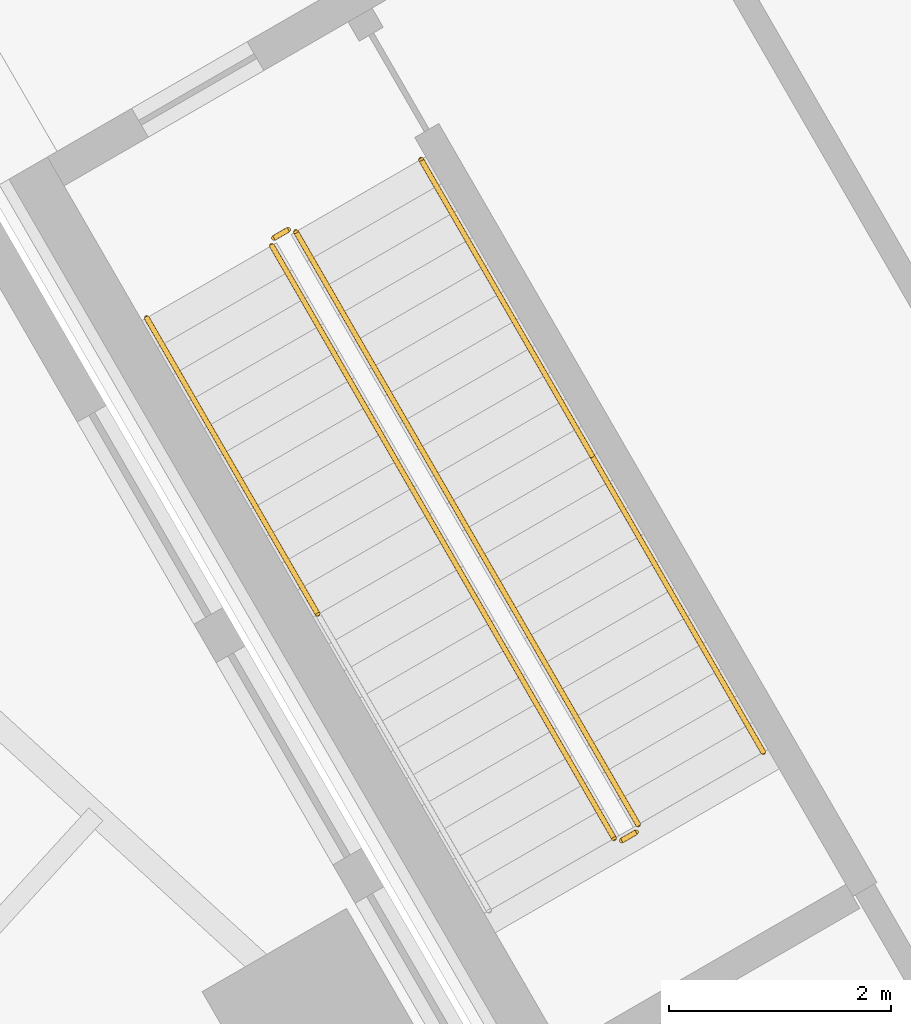
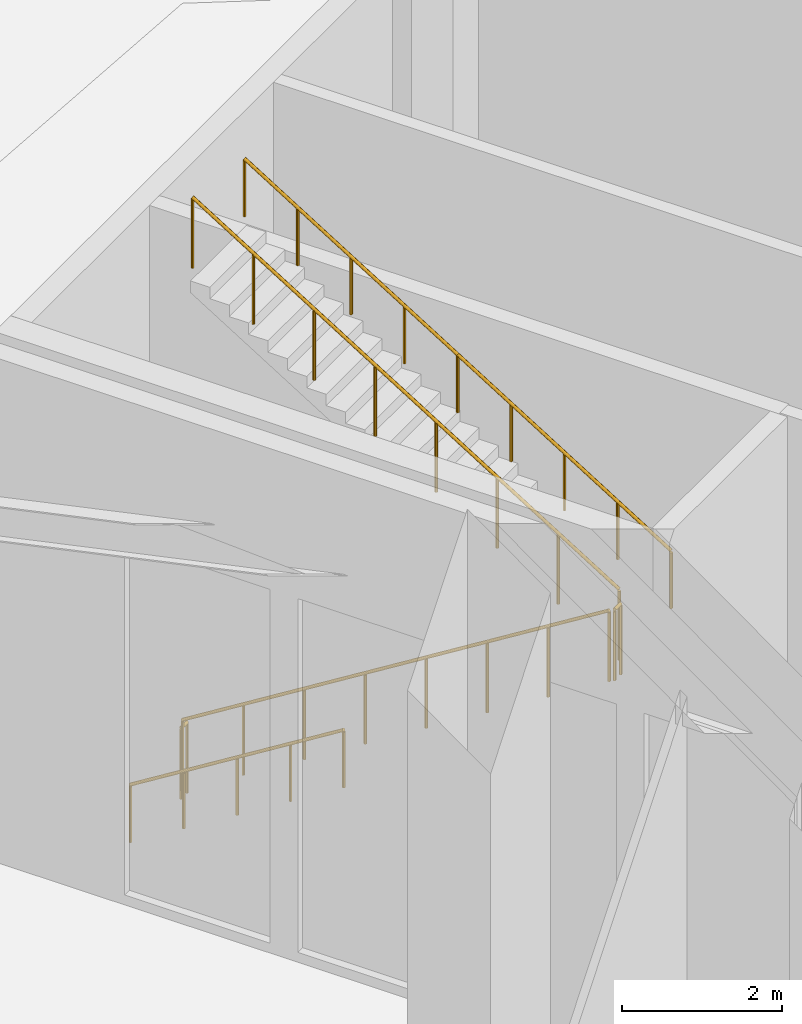
# One storey, part 30 of 34: 7 railings.
"""IFC4 building model written with IfcOpenShell, lengths in metres."""

import ifcopenshell
import ifcopenshell.guid

model = None  # the IFC model being written
_history = None  # IfcOwnerHistory: only IFC2X3 demands one
_inside = {}  # id of a spatial element -> (the spatial element, [elements in it])
_under = {}  # id of a project, library or spatial element -> (it, [spatial elements below it])
_declared = {}  # id of a project -> (the project, [libraries it declares])
_typed = {}  # id of a type object -> (the type object, [elements of that type])
_made_of = {}  # id of a material, layer set ... -> (it, [elements and type objects made of it])


def new_model(schema):
    """Start an empty IFC model of exactly this schema.

    Asked for "IFC4X3", IfcOpenShell would pick the latest addendum, in which some entities
    have other attributes; the version numbers below select the first issue.
    IFC2X3 requires an IfcOwnerHistory on every rooted entity: one is made here for all.
    """
    global model, _history
    if schema == "IFC4X3":
        model = ifcopenshell.file(schema_version=(4, 3, 0, 0))
    else:
        model = ifcopenshell.file(schema=schema)
    _inside.clear()
    _under.clear()
    _declared.clear()
    _typed.clear()
    _made_of.clear()
    _history = None
    if model.schema == "IFC2X3":
        org = make("IfcOrganization", Name="unknown")
        user = make(
            "IfcPersonAndOrganization",
            ThePerson=make("IfcPerson", FamilyName="unknown"),
            TheOrganization=org,
        )
        app = make(
            "IfcApplication",
            ApplicationDeveloper=org,
            Version="unknown",
            ApplicationFullName="unknown",
            ApplicationIdentifier="unknown",
        )
        _history = make(
            "IfcOwnerHistory",
            OwningUser=user,
            OwningApplication=app,
            ChangeAction="ADDED",
            CreationDate=0,
        )
    return model


def make(cls, **values):
    """One entity of the class cls with the attributes given. An attribute that is None is left unset."""
    return model.create_entity(
        cls, **{name: value for name, value in values.items() if value is not None}
    )


def rooted(cls, **values):
    """An entity with a GlobalId (a new one), such as an element, a storey or a relation."""
    return make(cls, GlobalId=ifcopenshell.guid.new(), OwnerHistory=_history, **values)


def si_unit(unit_type, name, prefix=None):
    """IfcSIUnit, for example si_unit("LENGTHUNIT", "METRE", prefix="MILLI")."""
    return make("IfcSIUnit", UnitType=unit_type, Prefix=prefix, Name=name)


def assignment(units):
    """IfcUnitAssignment: the units of a project."""
    return None if units is None else make("IfcUnitAssignment", Units=units)


def point(xyz):
    """IfcCartesianPoint."""
    return None if xyz is None else make("IfcCartesianPoint", Coordinates=xyz)


def direction(xyz):
    """IfcDirection."""
    return None if xyz is None else make("IfcDirection", DirectionRatios=xyz)


def frame(location, z_axis=None, x_axis=None):
    """IfcAxis2Placement3D, a coordinate frame: its origin and axes. An axis left out is left unset."""
    return make(
        "IfcAxis2Placement3D",
        Location=point(location),
        Axis=direction(z_axis),
        RefDirection=direction(x_axis),
    )


def frame_2d(location, x_axis=None):
    """IfcAxis2Placement2D, a coordinate frame in the plane: its origin and x axis."""
    return make(
        "IfcAxis2Placement2D", Location=point(location), RefDirection=direction(x_axis)
    )


def origin():
    """The frame at (0, 0, 0) with its axes left unset."""
    return frame((0.0, 0.0, 0.0))


def origin_2d():
    """The frame at (0, 0) in the plane with its x axis left unset."""
    return frame_2d((0.0, 0.0))


def place(relative_to, where):
    """IfcLocalPlacement: puts the frame where relative to a parent placement (None: the world)."""
    return make(
        "IfcLocalPlacement", PlacementRelTo=relative_to, RelativePlacement=where
    )


def context(
    kind, dimensions, precision=None, world=None, true_north=None, identifier=None
):
    """IfcGeometricRepresentationContext, for example the 3D "Model" context."""
    return make(
        "IfcGeometricRepresentationContext",
        ContextIdentifier=identifier,
        ContextType=kind,
        CoordinateSpaceDimension=dimensions,
        Precision=precision,
        WorldCoordinateSystem=world,
        TrueNorth=true_north,
    )


def subcontext(parent, identifier, kind, view, scale=None):
    """IfcGeometricRepresentationSubContext, for example "Body" below "Model"."""
    return make(
        "IfcGeometricRepresentationSubContext",
        ContextIdentifier=identifier,
        ContextType=kind,
        ParentContext=parent,
        TargetScale=scale,
        TargetView=view,
    )


def project(units=None, contexts=None):
    """IfcProject with its units and contexts."""
    return rooted(
        "IfcProject",
        Name="project",
        RepresentationContexts=contexts,
        UnitsInContext=assignment(units),
    )


def spatial(cls, under=None, at=None, **own):
    """A site, building, storey or space (cls), placed at a placement, below another one or the project."""
    s = rooted(cls, ObjectPlacement=at, **own)
    if under is not None:
        _under.setdefault(under.id(), (under, []))[1].append(s)
    return s


def profile(cls, at=None, kind="AREA", **sizes):
    """A parametric profile (cls). Its sizes go by their IFC names, for example OverallWidth=200.0."""
    return make(cls, ProfileType=kind, Position=at, **sizes)


def circle(**sizes):
    """IfcCircleProfileDef."""
    return profile("IfcCircleProfileDef", **sizes)


def extrude(swept, where, along, depth):
    """IfcExtrudedAreaSolid: the profile swept, set in the frame where, extruded along a direction by depth."""
    return make(
        "IfcExtrudedAreaSolid",
        SweptArea=swept,
        Position=where,
        ExtrudedDirection=direction(along),
        Depth=depth,
    )


def shape(context_of_items, identifier, shape_type, items):
    """IfcShapeRepresentation: the items that make up one representation, for example the "Body"."""
    return make(
        "IfcShapeRepresentation",
        ContextOfItems=context_of_items,
        RepresentationIdentifier=identifier,
        RepresentationType=shape_type,
        Items=items,
    )


def material(Name=None, Category=None):
    """IfcMaterial."""
    return make("IfcMaterial", Name=Name, Category=Category)


def made_of(thing, what):
    """Note that an element or type object is made of a material, layer set ...; save() writes the relation."""
    if what is not None:
        _made_of.setdefault(what.id(), (what, []))[1].append(thing)
    return thing


def type_object(cls, material=None, **own):
    """A type object (cls), such as IfcWallType, which elements share."""
    return made_of(rooted(cls, **own), material)


def element(
    cls,
    number,
    at=None,
    inside=None,
    cuts=None,
    type_object=None,
    material=None,
    context=None,
    identifier="Body",
    shape_type=None,
    held_by="IfcProductDefinitionShape",
    body=None,
    shapes=None,
    **own,
):
    """One element of the class cls, such as IfcWall. Its Tag is "e" and its number.

    at: its placement. inside: the storey or other place that contains it. cuts: it is an
    opening in that element (IfcRelVoidsElement). A single representation is given by context,
    identifier, shape_type and body (its items); several are given by shapes. held_by: the class
    of the entity that holds the representations. save() writes the other relations.
    """
    e = rooted(cls, Tag="e%d" % number, ObjectPlacement=at, **own)
    if body is not None:
        shapes = [shape(context, identifier, shape_type, body)]
    if shapes is not None:
        e.Representation = make(held_by, Representations=shapes)
    if inside is not None:
        _inside.setdefault(inside.id(), (inside, []))[1].append(e)
    if cuts is not None:
        rooted(
            "IfcRelVoidsElement", RelatingBuildingElement=cuts, RelatedOpeningElement=e
        )
    if type_object is not None:
        _typed.setdefault(type_object.id(), (type_object, []))[1].append(e)
    return made_of(e, material)


def aggregate(whole, parts):
    """IfcRelAggregates: a whole, such as a stair, and the parts it consists of."""
    return rooted("IfcRelAggregates", RelatingObject=whole, RelatedObjects=parts)


def save(model, path):
    """Write the relations noted so far, then the file.

    IfcRelAggregates (storeys below a building ...), IfcRelContainedInSpatialStructure (elements
    in a storey), IfcRelDefinesByType, IfcRelAssociatesMaterial and IfcRelDeclares: one each for
    every whole, place, type object, material and project.
    """
    for whole, parts in _under.values():
        aggregate(whole, parts)
    for where, things in _inside.values():
        rooted(
            "IfcRelContainedInSpatialStructure",
            RelatedElements=things,
            RelatingStructure=where,
        )
    for kind, things in _typed.values():
        rooted("IfcRelDefinesByType", RelatedObjects=things, RelatingType=kind)
    for what, things in _made_of.values():
        rooted("IfcRelAssociatesMaterial", RelatedObjects=things, RelatingMaterial=what)
    for by, libraries in _declared.values():
        rooted("IfcRelDeclares", RelatingContext=by, RelatedDefinitions=libraries)
    model.write(path)


model = new_model("IFC4")

# Units and contexts
model_context = context("Model", 3, precision=1e-05, world=origin(), true_north=direction((0.0, 1.0)))
body_context = subcontext(model_context, "Body", "Model", "MODEL_VIEW")
ifc_project = project(units=[si_unit("LENGTHUNIT", "METRE"), si_unit("AREAUNIT", "SQUARE_METRE"), si_unit("VOLUMEUNIT", "CUBIC_METRE"), si_unit("PLANEANGLEUNIT", "RADIAN"), si_unit("MASSUNIT", "GRAM", prefix="KILO")], contexts=[model_context])

# Site, building, storey
site_placement = place(None, origin())
site = spatial("IfcSite", under=ifc_project, at=site_placement, CompositionType="ELEMENT")
building_placement = place(site_placement, origin())
building = spatial("IfcBuilding", under=site, at=building_placement, Name="Firuza Gate Tower and Library", CompositionType="ELEMENT")
storey_placement = place(building_placement, origin())
storey = spatial("IfcBuildingStorey", under=building, at=storey_placement, Name="L00", CompositionType="ELEMENT", Elevation=0.0)

# Railings
ifc_material_1 = material(Name="Steel S355", Category="steel")
railing_type_1 = type_object("IfcRailingType", Name="LIB GUARD", PredefinedType="GUARDRAIL", material=ifc_material_1)
railing_1_placement = place(storey_placement, frame((82.298583984375, 108.427734375, 0.173828125)))
element("IfcRailing", 1, at=railing_1_placement, inside=storey, type_object=railing_type_1, Name="L00 LIB-ST-A stair guard 1", PredefinedType="GUARDRAIL", context=body_context, shape_type="SweptSolid", body=[
    extrude(circle(Radius=0.02392578125, at=origin_2d()), frame((0.0, 0.0, 1.076171875), z_axis=(0.42471713958, -0.735671360837, 0.527639081371), x_axis=(0.866037086216, 0.49997976489, 0.0)), (0.0, 0.0, 1.0), 7.25146484375),
    extrude(circle(Radius=0.02099609375, at=origin_2d()), origin(), (0.0, 0.0, 1.0), 1.052001953125),
    extrude(circle(Radius=0.02099609375, at=origin_2d()), frame((0.43994140625, -0.76220703125, 0.546630859375)), (0.0, 0.0, 1.0), 1.052001953125),
    extrude(circle(Radius=0.02099609375, at=origin_2d()), frame((0.8798828125, -1.524169921875, 1.09326171875)), (0.0, 0.0, 1.0), 1.052001953125),
    extrude(circle(Radius=0.02099609375, at=origin_2d()), frame((1.31982421875, -2.286376953125, 1.639892578125)), (0.0, 0.0, 1.0), 1.052001953125),
    extrude(circle(Radius=0.02099609375, at=origin_2d()), frame((1.760009765625, -3.04833984375, 2.186279296875)), (0.0, 0.0, 1.0), 1.052001953125),
    extrude(circle(Radius=0.02099609375, at=origin_2d()), frame((2.199951171875, -3.810546875, 2.73291015625)), (0.0, 0.0, 1.0), 1.052001953125),
    extrude(circle(Radius=0.02099609375, at=origin_2d()), frame((2.639892578125, -4.572509765625, 3.279541015625)), (0.0, 0.0, 1.0), 1.052001953125),
    extrude(circle(Radius=0.02099609375, at=origin_2d()), frame((3.079833984375, -5.334716796875, 3.826171875)), (0.0, 0.0, 1.0), 1.052001953125),
])
railing_2_placement = place(storey_placement, frame((85.44677734375, 103.07470703125, 4.0)))
element("IfcRailing", 2, at=railing_2_placement, inside=storey, type_object=railing_type_1, Name="L00 LIB-ST-A stair guard 2", PredefinedType="GUARDRAIL", context=body_context, shape_type="SweptSolid", body=[
    extrude(circle(Radius=0.02392578125, at=origin_2d()), frame((0.0, 0.0, 1.076171875), z_axis=(0.866131372301, 0.499816412211, 0.0), x_axis=(-0.499816412211, 0.866131372301, 0.0)), (0.0, 0.0, 1.0), 0.14990234375),
    extrude(circle(Radius=0.02099609375, at=origin_2d()), origin(), (0.0, 0.0, 1.0), 1.052001953125),
    extrude(circle(Radius=0.02099609375, at=origin_2d()), frame((0.1298828125, 0.074951171875, 0.0)), (0.0, 0.0, 1.0), 1.052001953125),
])
railing_3_placement = place(storey_placement, frame((85.594970703125, 103.218017578125, 4.173828125)))
element("IfcRailing", 3, at=railing_3_placement, inside=storey, type_object=railing_type_1, Name="L00 LIB-ST-A stair guard 3", PredefinedType="GUARDRAIL", context=body_context, shape_type="SweptSolid", body=[
    extrude(circle(Radius=0.02392578125, at=origin_2d()), frame((0.0, 0.0, 1.076171875), z_axis=(-0.42471713958, 0.735671360837, 0.527639081371), x_axis=(-0.866037086216, -0.49997976489, 0.0)), (0.0, 0.0, 1.0), 7.25146484375),
    extrude(circle(Radius=0.02099609375, at=origin_2d()), origin(), (0.0, 0.0, 1.0), 1.052001953125),
    extrude(circle(Radius=0.02099609375, at=origin_2d()), frame((-0.43994140625, 0.76220703125, 0.546630859375)), (0.0, 0.0, 1.0), 1.052001953125),
    extrude(circle(Radius=0.02099609375, at=origin_2d()), frame((-0.8798828125, 1.524169921875, 1.09326171875)), (0.0, 0.0, 1.0), 1.052001953125),
    extrude(circle(Radius=0.02099609375, at=origin_2d()), frame((-1.31982421875, 2.286376953125, 1.639892578125)), (0.0, 0.0, 1.0), 1.052001953125),
    extrude(circle(Radius=0.02099609375, at=origin_2d()), frame((-1.760009765625, 3.04833984375, 2.186279296875)), (0.0, 0.0, 1.0), 1.052001953125),
    extrude(circle(Radius=0.02099609375, at=origin_2d()), frame((-2.199951171875, 3.810546875, 2.73291015625)), (0.0, 0.0, 1.0), 1.052001953125),
    extrude(circle(Radius=0.02099609375, at=origin_2d()), frame((-2.639892578125, 4.572509765625, 3.279541015625)), (0.0, 0.0, 1.0), 1.052001953125),
    extrude(circle(Radius=0.02099609375, at=origin_2d()), frame((-3.079833984375, 5.334716796875, 3.826171875)), (0.0, 0.0, 1.0), 1.052001953125),
])
railing_4_placement = place(storey_placement, frame((82.31689453125, 108.49609375, 0.0)))
element("IfcRailing", 4, at=railing_4_placement, inside=storey, type_object=railing_type_1, Name="L00 LIB-ST-A stair guard 4", PredefinedType="GUARDRAIL", context=body_context, shape_type="SweptSolid", body=[
    extrude(circle(Radius=0.02392578125, at=origin_2d()), frame((0.0, 0.0, 1.076171875), z_axis=(0.866131372301, 0.499816412211, 0.0), x_axis=(-0.499816412211, 0.866131372301, 0.0)), (0.0, 0.0, 1.0), 0.14990234375),
    extrude(circle(Radius=0.02099609375, at=origin_2d()), origin(), (0.0, 0.0, 1.0), 1.052001953125),
    extrude(circle(Radius=0.02099609375, at=origin_2d()), frame((0.1298828125, 0.074951171875, 0.0)), (0.0, 0.0, 1.0), 1.052001953125),
])
ifc_material_2 = material(Name="Steel S355", Category="steel")
railing_type_2 = type_object("IfcRailingType", Name="LIB HANDRAIL", PredefinedType="HANDRAIL", material=ifc_material_2)
railing_5_placement = place(storey_placement, frame((81.172607421875, 107.77783203125, 0.173828125)))
element("IfcRailing", 5, at=railing_5_placement, inside=storey, type_object=railing_type_2, Name="L00 LIB-ST-A stair handrail 1a", PredefinedType="HANDRAIL", context=body_context, shape_type="SweptSolid", body=[
    extrude(circle(Radius=0.02392578125, at=origin_2d()), frame((0.0, 0.0, 0.8759765625), z_axis=(0.424734213735, -0.735676287139, 0.527618468426), x_axis=(0.866029832698, 0.499992328818, 0.0)), (0.0, 0.0, 1.0), 3.6259765625),
    extrude(circle(Radius=0.02099609375, at=origin_2d()), origin(), (0.0, 0.0, 1.0), 0.851806640625),
    extrude(circle(Radius=0.02099609375, at=origin_2d()), frame((0.385009765625, -0.6669921875, 0.478271484375)), (0.0, 0.0, 1.0), 0.851806640625),
    extrude(circle(Radius=0.02099609375, at=origin_2d()), frame((0.77001953125, -1.333740234375, 0.95654296875)), (0.0, 0.0, 1.0), 0.851806640625),
    extrude(circle(Radius=0.02099609375, at=origin_2d()), frame((1.155029296875, -2.00048828125, 1.434814453125)), (0.0, 0.0, 1.0), 0.851806640625),
    extrude(circle(Radius=0.02099609375, at=origin_2d()), frame((1.5400390625, -2.66748046875, 1.9130859375)), (0.0, 0.0, 1.0), 0.851806640625),
])
railing_6_placement = place(storey_placement, frame((86.720947265625, 103.8681640625, 4.173828125)))
element("IfcRailing", 6, at=railing_6_placement, inside=storey, type_object=railing_type_2, Name="L00 LIB-ST-A stair handrail 2a", PredefinedType="HANDRAIL", context=body_context, shape_type="SweptSolid", body=[
    extrude(circle(Radius=0.02392578125, at=origin_2d()), frame((0.0, 0.0, 0.8759765625), z_axis=(-0.424755253552, 0.735645393954, 0.527644604762), x_axis=(-0.866010015463, -0.500026652407, 0.0)), (0.0, 0.0, 1.0), 3.625732421875),
    extrude(circle(Radius=0.02099609375, at=origin_2d()), origin(), (0.0, 0.0, 1.0), 0.851806640625),
    extrude(circle(Radius=0.02099609375, at=origin_2d()), frame((-0.385009765625, 0.666748046875, 0.478271484375)), (0.0, 0.0, 1.0), 0.851806640625),
    extrude(circle(Radius=0.02099609375, at=origin_2d()), frame((-0.77001953125, 1.33349609375, 0.95654296875)), (0.0, 0.0, 1.0), 0.851806640625),
    extrude(circle(Radius=0.02099609375, at=origin_2d()), frame((-1.155029296875, 2.00048828125, 1.434814453125)), (0.0, 0.0, 1.0), 0.851806640625),
    extrude(circle(Radius=0.02099609375, at=origin_2d()), frame((-1.5400390625, 2.667236328125, 1.9130859375)), (0.0, 0.0, 1.0), 0.851806640625),
])
railing_7_placement = place(storey_placement, frame((85.180908203125, 106.535400390625, 6.0869140625)))
element("IfcRailing", 7, at=railing_7_placement, inside=storey, type_object=railing_type_2, Name="L00 LIB-ST-A stair handrail 2b", PredefinedType="HANDRAIL", context=body_context, shape_type="SweptSolid", body=[
    extrude(circle(Radius=0.02392578125, at=origin_2d()), frame((0.0, 0.0, 0.8759765625), z_axis=(-0.424734213735, 0.735676287139, 0.527618468426), x_axis=(-0.866029832698, -0.499992328818, 0.0)), (0.0, 0.0, 1.0), 3.6259765625),
    extrude(circle(Radius=0.02099609375, at=origin_2d()), origin(), (0.0, 0.0, 1.0), 0.851806640625),
    extrude(circle(Radius=0.02099609375, at=origin_2d()), frame((-0.385009765625, 0.6669921875, 0.478271484375)), (0.0, 0.0, 1.0), 0.851806640625),
    extrude(circle(Radius=0.02099609375, at=origin_2d()), frame((-0.77001953125, 1.333740234375, 0.95654296875)), (0.0, 0.0, 1.0), 0.851806640625),
    extrude(circle(Radius=0.02099609375, at=origin_2d()), frame((-1.155029296875, 2.00048828125, 1.434814453125)), (0.0, 0.0, 1.0), 0.851806640625),
    extrude(circle(Radius=0.02099609375, at=origin_2d()), frame((-1.5400390625, 2.66748046875, 1.9130859375)), (0.0, 0.0, 1.0), 0.851806640625),
])

save(model, "model.ifc")
